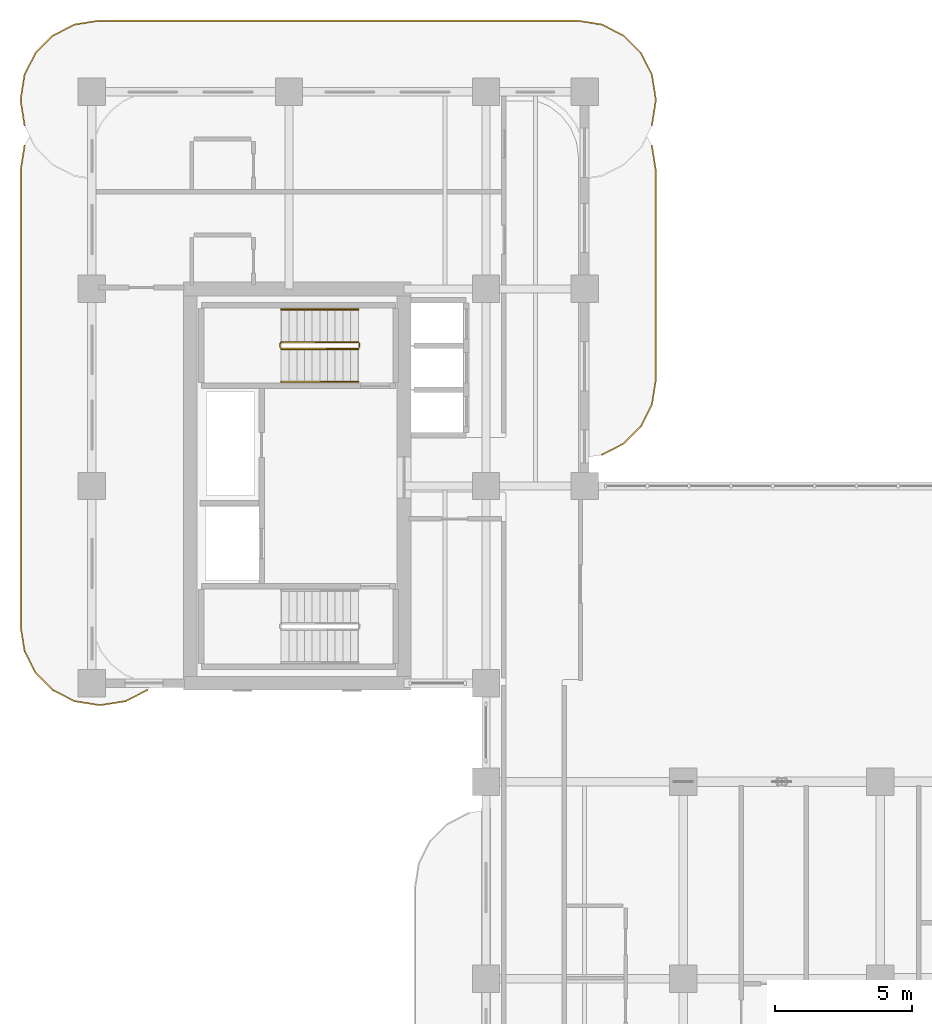
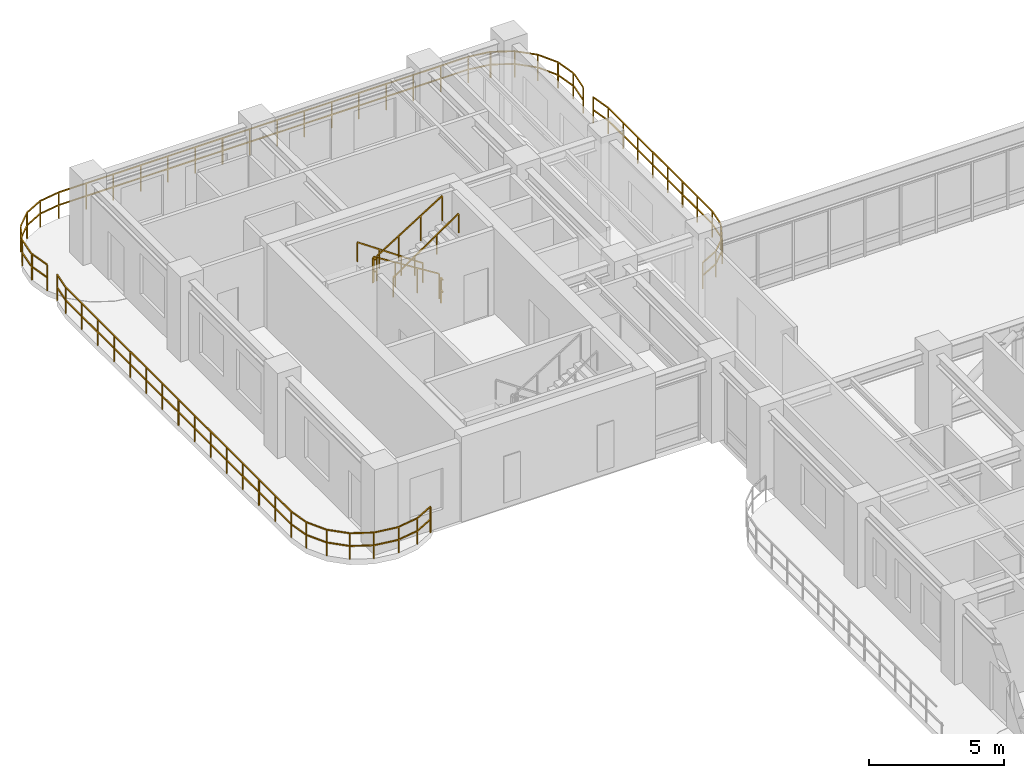
# One storey, part 17 of 17: 9 railings.
"""IFC4 building model written with IfcOpenShell, lengths in metres."""

from ifc_helpers import new_model, si_unit, derived_unit, direction, frame, origin, origin_2d, place, context, subcontext, project, spatial, rectangle, extrude, material, type_object, element, save


model = new_model("IFC4")

# Units and contexts
model_context = context("Model", 3, precision=1e-05, world=origin(), true_north=direction((0.0, 1.0)))
body_context = subcontext(model_context, "Body", "Model", "MODEL_VIEW")
ifc_project = project(units=[si_unit("LENGTHUNIT", "METRE"), si_unit("AREAUNIT", "SQUARE_METRE"), si_unit("VOLUMEUNIT", "CUBIC_METRE"), si_unit("PLANEANGLEUNIT", "RADIAN"), si_unit("MASSUNIT", "GRAM", prefix="KILO"), si_unit("THERMODYNAMICTEMPERATUREUNIT", "KELVIN"), si_unit("POWERUNIT", "WATT"), derived_unit("THERMALTRANSMITTANCEUNIT", [(si_unit("POWERUNIT", "WATT"), 1), (si_unit("AREAUNIT", "SQUARE_METRE"), -1), (si_unit("THERMODYNAMICTEMPERATUREUNIT", "KELVIN"), -1)])], contexts=[model_context])

# Site, building, storey
site_placement = place(None, origin())
site = spatial("IfcSite", under=ifc_project, at=site_placement, CompositionType="ELEMENT")
building_placement = place(site_placement, origin())
building = spatial("IfcBuilding", under=site, at=building_placement, Name="Zahravan Archway Hotel and Residences", CompositionType="ELEMENT")
storey_placement = place(building_placement, frame((0.0, 0.0, 192.64990234375)))
storey = spatial("IfcBuildingStorey", under=building, at=storey_placement, Name="L48", CompositionType="ELEMENT", Elevation=192.64990234375)

# Railings
ifc_material_1 = material(Name="Bronze & Laminated Glass Balustrade", Category="glass")
railing_type_1 = type_object("IfcRailingType", Name="RL-BAL-1200", PredefinedType="BALUSTRADE", material=ifc_material_1)
railing_1_placement = place(storey_placement, frame((-2.46044921875, 45.5693359375, 0.0)))
element("IfcRailing", 1, at=railing_1_placement, inside=storey, type_object=railing_type_1, Name="L48 Balustrade RL-SLB-BAL-L48-NB-1", PredefinedType="BALUSTRADE", context=body_context, shape_type="SweptSolid", body=[
    extrude(rectangle(XDim=0.048095703125, YDim=0.048095703125, at=origin_2d()), frame((0.0, 0.0, 1.17578125), z_axis=(-0.156623399917, 0.987658397726, 0.0), x_axis=(-0.987658397726, -0.156623399917, 0.0)), (0.0, 0.0, 1.0), 0.8916015625),
    extrude(rectangle(XDim=0.048095703125, YDim=0.048095703125, at=origin_2d()), frame((0.0, 0.0, 0.60009765625), z_axis=(-0.156623399917, 0.987658397726, 0.0), x_axis=(-0.987658397726, -0.156623399917, 0.0)), (0.0, 0.0, 1.0), 0.8916015625),
    extrude(rectangle(XDim=0.048095703125, YDim=0.048095703125, at=origin_2d()), frame((-0.1396484375, 0.880615234375, 1.17578125), z_axis=(0.0, 1.0, 0.0), x_axis=(-1.0, 0.0, 0.0)), (0.0, 0.0, 1.0), 0.10009765625),
    extrude(rectangle(XDim=0.048095703125, YDim=0.048095703125, at=origin_2d()), frame((-0.1396484375, 0.880615234375, 0.60009765625), z_axis=(0.0, 1.0, 0.0), x_axis=(-1.0, 0.0, 0.0)), (0.0, 0.0, 1.0), 0.10009765625),
    extrude(rectangle(XDim=0.048095703125, YDim=0.048095703125, at=origin_2d()), frame((-0.1396484375, 0.980712890625, 1.17578125), z_axis=(0.156623399917, 0.987658397726, 0.0), x_axis=(-0.987658397726, 0.156623399917, 0.0)), (0.0, 0.0, 1.0), 0.8916015625),
    extrude(rectangle(XDim=0.048095703125, YDim=0.048095703125, at=origin_2d()), frame((-0.1396484375, 0.980712890625, 0.60009765625), z_axis=(0.156623399917, 0.987658397726, 0.0), x_axis=(-0.987658397726, 0.156623399917, 0.0)), (0.0, 0.0, 1.0), 0.8916015625),
    extrude(rectangle(XDim=0.048095703125, YDim=0.048095703125, at=origin_2d()), frame((0.0, 1.861328125, 1.17578125), z_axis=(0.453991409995, 0.891006060389, 0.0), x_axis=(-0.891006060389, 0.453991409995, 0.0)), (0.0, 0.0, 1.0), 0.8916015625),
    extrude(rectangle(XDim=0.048095703125, YDim=0.048095703125, at=origin_2d()), frame((0.0, 1.861328125, 0.60009765625), z_axis=(0.453991409995, 0.891006060389, 0.0), x_axis=(-0.891006060389, 0.453991409995, 0.0)), (0.0, 0.0, 1.0), 0.8916015625),
    extrude(rectangle(XDim=0.048095703125, YDim=0.048095703125, at=origin_2d()), frame((0.40478515625, 2.65576171875, 1.17578125), z_axis=(0.706969864397, 0.70724367147, 0.0), x_axis=(-0.70724367147, 0.706969864397, 0.0)), (0.0, 0.0, 1.0), 0.8916015625),
    extrude(rectangle(XDim=0.048095703125, YDim=0.048095703125, at=origin_2d()), frame((0.40478515625, 2.65576171875, 0.60009765625), z_axis=(0.706969864397, 0.70724367147, 0.0), x_axis=(-0.70724367147, 0.706969864397, 0.0)), (0.0, 0.0, 1.0), 0.8916015625),
    extrude(rectangle(XDim=0.048095703125, YDim=0.048095703125, at=origin_2d()), frame((1.03515625, 3.286376953125, 1.17578125), z_axis=(0.891062476022, 0.45388067135, 0.0), x_axis=(-0.45388067135, 0.891062476022, 0.0)), (0.0, 0.0, 1.0), 0.891845703125),
    extrude(rectangle(XDim=0.048095703125, YDim=0.048095703125, at=origin_2d()), frame((1.03515625, 3.286376953125, 0.60009765625), z_axis=(0.891062476022, 0.45388067135, 0.0), x_axis=(-0.45388067135, 0.891062476022, 0.0)), (0.0, 0.0, 1.0), 0.891845703125),
    extrude(rectangle(XDim=0.048095703125, YDim=0.048095703125, at=origin_2d()), frame((1.829833984375, 3.691162109375, 1.17578125), z_axis=(0.987700720307, 0.156356282588, 0.0), x_axis=(-0.156356282588, 0.987700720307, 0.0)), (0.0, 0.0, 1.0), 0.8916015625),
    extrude(rectangle(XDim=0.048095703125, YDim=0.048095703125, at=origin_2d()), frame((1.829833984375, 3.691162109375, 0.60009765625), z_axis=(0.987700720307, 0.156356282588, 0.0), x_axis=(-0.156356282588, 0.987700720307, 0.0)), (0.0, 0.0, 1.0), 0.8916015625),
    extrude(rectangle(XDim=0.048095703125, YDim=0.048095703125, at=origin_2d()), frame((2.71044921875, 3.83056640625, 1.17578125), z_axis=(1.0, 0.0, 0.0), x_axis=(0.0, 1.0, 0.0)), (0.0, 0.0, 1.0), 17.5),
    extrude(rectangle(XDim=0.048095703125, YDim=0.048095703125, at=origin_2d()), frame((2.71044921875, 3.83056640625, 0.60009765625), z_axis=(1.0, 0.0, 0.0), x_axis=(0.0, 1.0, 0.0)), (0.0, 0.0, 1.0), 17.5),
    extrude(rectangle(XDim=0.048095703125, YDim=0.048095703125, at=origin_2d()), frame((20.21044921875, 3.83056640625, 1.17578125), z_axis=(0.987700720307, -0.156356282588, 0.0), x_axis=(0.156356282588, 0.987700720307, 0.0)), (0.0, 0.0, 1.0), 0.8916015625),
    extrude(rectangle(XDim=0.048095703125, YDim=0.048095703125, at=origin_2d()), frame((20.21044921875, 3.83056640625, 0.60009765625), z_axis=(0.987700720307, -0.156356282588, 0.0), x_axis=(0.156356282588, 0.987700720307, 0.0)), (0.0, 0.0, 1.0), 0.8916015625),
    extrude(rectangle(XDim=0.048095703125, YDim=0.048095703125, at=origin_2d()), frame((21.091064453125, 3.691162109375, 1.17578125), z_axis=(0.891062476022, -0.45388067135, 0.0), x_axis=(0.45388067135, 0.891062476022, 0.0)), (0.0, 0.0, 1.0), 0.891845703125),
    extrude(rectangle(XDim=0.048095703125, YDim=0.048095703125, at=origin_2d()), frame((21.091064453125, 3.691162109375, 0.60009765625), z_axis=(0.891062476022, -0.45388067135, 0.0), x_axis=(0.45388067135, 0.891062476022, 0.0)), (0.0, 0.0, 1.0), 0.891845703125),
    extrude(rectangle(XDim=0.048095703125, YDim=0.048095703125, at=origin_2d()), frame((21.8857421875, 3.286376953125, 1.17578125), z_axis=(0.706969864397, -0.70724367147, 0.0), x_axis=(0.70724367147, 0.706969864397, 0.0)), (0.0, 0.0, 1.0), 0.8916015625),
    extrude(rectangle(XDim=0.048095703125, YDim=0.048095703125, at=origin_2d()), frame((21.8857421875, 3.286376953125, 0.60009765625), z_axis=(0.706969864397, -0.70724367147, 0.0), x_axis=(0.70724367147, 0.706969864397, 0.0)), (0.0, 0.0, 1.0), 0.8916015625),
    extrude(rectangle(XDim=0.048095703125, YDim=0.048095703125, at=origin_2d()), frame((22.51611328125, 2.65576171875, 1.17578125), z_axis=(0.453991409995, -0.891006060389, 0.0), x_axis=(0.891006060389, 0.453991409995, 0.0)), (0.0, 0.0, 1.0), 0.8916015625),
    extrude(rectangle(XDim=0.048095703125, YDim=0.048095703125, at=origin_2d()), frame((22.51611328125, 2.65576171875, 0.60009765625), z_axis=(0.453991409995, -0.891006060389, 0.0), x_axis=(0.891006060389, 0.453991409995, 0.0)), (0.0, 0.0, 1.0), 0.8916015625),
    extrude(rectangle(XDim=0.048095703125, YDim=0.048095703125, at=origin_2d()), frame((22.9208984375, 1.861328125, 1.17578125), z_axis=(0.156623399917, -0.987658397726, 0.0), x_axis=(0.987658397726, 0.156623399917, 0.0)), (0.0, 0.0, 1.0), 0.8916015625),
    extrude(rectangle(XDim=0.048095703125, YDim=0.048095703125, at=origin_2d()), frame((22.9208984375, 1.861328125, 0.60009765625), z_axis=(0.156623399917, -0.987658397726, 0.0), x_axis=(0.987658397726, 0.156623399917, 0.0)), (0.0, 0.0, 1.0), 0.8916015625),
    extrude(rectangle(XDim=0.048095703125, YDim=0.048095703125, at=origin_2d()), frame((23.060546875, 0.980712890625, 1.17578125), z_axis=(0.0, -1.0, 0.0), x_axis=(1.0, 0.0, 0.0)), (0.0, 0.0, 1.0), 0.10009765625),
    extrude(rectangle(XDim=0.048095703125, YDim=0.048095703125, at=origin_2d()), frame((23.060546875, 0.980712890625, 0.60009765625), z_axis=(0.0, -1.0, 0.0), x_axis=(1.0, 0.0, 0.0)), (0.0, 0.0, 1.0), 0.10009765625),
    extrude(rectangle(XDim=0.048095703125, YDim=0.048095703125, at=origin_2d()), frame((23.060546875, 0.880615234375, 1.17578125), z_axis=(-0.156623399917, -0.987658397726, 0.0), x_axis=(0.987658397726, -0.156623399917, 0.0)), (0.0, 0.0, 1.0), 0.8916015625),
    extrude(rectangle(XDim=0.048095703125, YDim=0.048095703125, at=origin_2d()), frame((23.060546875, 0.880615234375, 0.60009765625), z_axis=(-0.156623399917, -0.987658397726, 0.0), x_axis=(0.987658397726, -0.156623399917, 0.0)), (0.0, 0.0, 1.0), 0.8916015625),
    extrude(rectangle(XDim=0.0419921875, YDim=0.0419921875, at=origin_2d()), origin(), (0.0, 0.0, 1.0), 1.15185546875),
    extrude(rectangle(XDim=0.0419921875, YDim=0.0419921875, at=origin_2d()), frame((-0.1396484375, 0.880615234375, 0.0)), (0.0, 0.0, 1.0), 1.15185546875),
    extrude(rectangle(XDim=0.0419921875, YDim=0.0419921875, at=origin_2d()), frame((0.0, 1.861328125, 0.0)), (0.0, 0.0, 1.0), 1.15185546875),
    extrude(rectangle(XDim=0.0419921875, YDim=0.0419921875, at=origin_2d()), frame((0.40478515625, 2.65576171875, 0.0)), (0.0, 0.0, 1.0), 1.15185546875),
    extrude(rectangle(XDim=0.0419921875, YDim=0.0419921875, at=origin_2d()), frame((1.03515625, 3.286376953125, 0.0)), (0.0, 0.0, 1.0), 1.15185546875),
    extrude(rectangle(XDim=0.0419921875, YDim=0.0419921875, at=origin_2d()), frame((1.829833984375, 3.691162109375, 0.0)), (0.0, 0.0, 1.0), 1.15185546875),
    extrude(rectangle(XDim=0.0419921875, YDim=0.0419921875, at=origin_2d()), frame((2.71044921875, 3.83056640625, 0.0)), (0.0, 0.0, 1.0), 1.15185546875),
    extrude(rectangle(XDim=0.0419921875, YDim=0.0419921875, at=origin_2d()), frame((3.877197265625, 3.83056640625, 0.0)), (0.0, 0.0, 1.0), 1.15185546875),
    extrude(rectangle(XDim=0.0419921875, YDim=0.0419921875, at=origin_2d()), frame((5.043701171875, 3.83056640625, 0.0)), (0.0, 0.0, 1.0), 1.15185546875),
    extrude(rectangle(XDim=0.0419921875, YDim=0.0419921875, at=origin_2d()), frame((6.21044921875, 3.83056640625, 0.0)), (0.0, 0.0, 1.0), 1.15185546875),
    extrude(rectangle(XDim=0.0419921875, YDim=0.0419921875, at=origin_2d()), frame((7.377197265625, 3.83056640625, 0.0)), (0.0, 0.0, 1.0), 1.15185546875),
    extrude(rectangle(XDim=0.0419921875, YDim=0.0419921875, at=origin_2d()), frame((8.543701171875, 3.83056640625, 0.0)), (0.0, 0.0, 1.0), 1.15185546875),
    extrude(rectangle(XDim=0.0419921875, YDim=0.0419921875, at=origin_2d()), frame((9.71044921875, 3.83056640625, 0.0)), (0.0, 0.0, 1.0), 1.15185546875),
    extrude(rectangle(XDim=0.0419921875, YDim=0.0419921875, at=origin_2d()), frame((10.877197265625, 3.83056640625, 0.0)), (0.0, 0.0, 1.0), 1.15185546875),
    extrude(rectangle(XDim=0.0419921875, YDim=0.0419921875, at=origin_2d()), frame((12.043701171875, 3.83056640625, 0.0)), (0.0, 0.0, 1.0), 1.15185546875),
    extrude(rectangle(XDim=0.0419921875, YDim=0.0419921875, at=origin_2d()), frame((13.21044921875, 3.83056640625, 0.0)), (0.0, 0.0, 1.0), 1.15185546875),
    extrude(rectangle(XDim=0.0419921875, YDim=0.0419921875, at=origin_2d()), frame((14.377197265625, 3.83056640625, 0.0)), (0.0, 0.0, 1.0), 1.15185546875),
    extrude(rectangle(XDim=0.0419921875, YDim=0.0419921875, at=origin_2d()), frame((15.543701171875, 3.83056640625, 0.0)), (0.0, 0.0, 1.0), 1.15185546875),
    extrude(rectangle(XDim=0.0419921875, YDim=0.0419921875, at=origin_2d()), frame((16.71044921875, 3.83056640625, 0.0)), (0.0, 0.0, 1.0), 1.15185546875),
    extrude(rectangle(XDim=0.0419921875, YDim=0.0419921875, at=origin_2d()), frame((17.877197265625, 3.83056640625, 0.0)), (0.0, 0.0, 1.0), 1.15185546875),
    extrude(rectangle(XDim=0.0419921875, YDim=0.0419921875, at=origin_2d()), frame((19.043701171875, 3.83056640625, 0.0)), (0.0, 0.0, 1.0), 1.15185546875),
    extrude(rectangle(XDim=0.0419921875, YDim=0.0419921875, at=origin_2d()), frame((20.21044921875, 3.83056640625, 0.0)), (0.0, 0.0, 1.0), 1.15185546875),
    extrude(rectangle(XDim=0.0419921875, YDim=0.0419921875, at=origin_2d()), frame((21.091064453125, 3.691162109375, 0.0)), (0.0, 0.0, 1.0), 1.15185546875),
    extrude(rectangle(XDim=0.0419921875, YDim=0.0419921875, at=origin_2d()), frame((21.8857421875, 3.286376953125, 0.0)), (0.0, 0.0, 1.0), 1.15185546875),
    extrude(rectangle(XDim=0.0419921875, YDim=0.0419921875, at=origin_2d()), frame((22.51611328125, 2.65576171875, 0.0)), (0.0, 0.0, 1.0), 1.15185546875),
    extrude(rectangle(XDim=0.0419921875, YDim=0.0419921875, at=origin_2d()), frame((22.9208984375, 1.861328125, 0.0)), (0.0, 0.0, 1.0), 1.15185546875),
    extrude(rectangle(XDim=0.0419921875, YDim=0.0419921875, at=origin_2d()), frame((23.060546875, 0.980712890625, 0.0)), (0.0, 0.0, 1.0), 1.15185546875),
    extrude(rectangle(XDim=0.0419921875, YDim=0.0419921875, at=origin_2d()), frame((22.9208984375, 0.0, 0.0)), (0.0, 0.0, 1.0), 1.15185546875),
])
railing_2_placement = place(storey_placement, frame((2.025146484375, 24.9443359375, 0.0)))
element("IfcRailing", 2, at=railing_2_placement, inside=storey, type_object=railing_type_1, Name="L48 Balustrade RL-SLB-BAL-L48-WB-1", PredefinedType="BALUSTRADE", context=body_context, shape_type="SweptSolid", body=[
    extrude(rectangle(XDim=0.048095703125, YDim=0.048095703125, at=origin_2d()), frame((0.0, 0.0, 1.17578125), z_axis=(-0.891006060389, -0.453991409995, 0.0), x_axis=(0.453991409995, -0.891006060389, 0.0)), (0.0, 0.0, 1.0), 0.8916015625),
    extrude(rectangle(XDim=0.048095703125, YDim=0.048095703125, at=origin_2d()), frame((0.0, 0.0, 0.60009765625), z_axis=(-0.891006060389, -0.453991409995, 0.0), x_axis=(0.453991409995, -0.891006060389, 0.0)), (0.0, 0.0, 1.0), 0.8916015625),
    extrude(rectangle(XDim=0.048095703125, YDim=0.048095703125, at=origin_2d()), frame((-0.79443359375, -0.40478515625, 1.17578125), z_axis=(-0.987658397726, -0.156623399917, 0.0), x_axis=(0.156623399917, -0.987658397726, 0.0)), (0.0, 0.0, 1.0), 0.8916015625),
    extrude(rectangle(XDim=0.048095703125, YDim=0.048095703125, at=origin_2d()), frame((-0.79443359375, -0.40478515625, 0.60009765625), z_axis=(-0.987658397726, -0.156623399917, 0.0), x_axis=(0.156623399917, -0.987658397726, 0.0)), (0.0, 0.0, 1.0), 0.8916015625),
    extrude(rectangle(XDim=0.048095703125, YDim=0.048095703125, at=origin_2d()), frame((-1.675048828125, -0.54443359375, 1.17578125), z_axis=(-1.0, 0.0, 0.0), x_axis=(0.0, -1.0, 0.0)), (0.0, 0.0, 1.0), 0.10009765625),
    extrude(rectangle(XDim=0.048095703125, YDim=0.048095703125, at=origin_2d()), frame((-1.675048828125, -0.54443359375, 0.60009765625), z_axis=(-1.0, 0.0, 0.0), x_axis=(0.0, -1.0, 0.0)), (0.0, 0.0, 1.0), 0.10009765625),
    extrude(rectangle(XDim=0.048095703125, YDim=0.048095703125, at=origin_2d()), frame((-1.775146484375, -0.54443359375, 1.17578125), z_axis=(-0.987658397726, 0.156623399917, 0.0), x_axis=(-0.156623399917, -0.987658397726, 0.0)), (0.0, 0.0, 1.0), 0.8916015625),
    extrude(rectangle(XDim=0.048095703125, YDim=0.048095703125, at=origin_2d()), frame((-1.775146484375, -0.54443359375, 0.60009765625), z_axis=(-0.987658397726, 0.156623399917, 0.0), x_axis=(-0.156623399917, -0.987658397726, 0.0)), (0.0, 0.0, 1.0), 0.8916015625),
    extrude(rectangle(XDim=0.048095703125, YDim=0.048095703125, at=origin_2d()), frame((-2.65576171875, -0.40478515625, 1.17578125), z_axis=(-0.891062476022, 0.45388067135, 0.0), x_axis=(-0.45388067135, -0.891062476022, 0.0)), (0.0, 0.0, 1.0), 0.891845703125),
    extrude(rectangle(XDim=0.048095703125, YDim=0.048095703125, at=origin_2d()), frame((-2.65576171875, -0.40478515625, 0.60009765625), z_axis=(-0.891062476022, 0.45388067135, 0.0), x_axis=(-0.45388067135, -0.891062476022, 0.0)), (0.0, 0.0, 1.0), 0.891845703125),
    extrude(rectangle(XDim=0.048095703125, YDim=0.048095703125, at=origin_2d()), frame((-3.450439453125, 0.0, 1.17578125), z_axis=(-0.707106781187, 0.707106781187, 0.0), x_axis=(-0.707106781187, -0.707106781187, 0.0)), (0.0, 0.0, 1.0), 0.891357421875),
    extrude(rectangle(XDim=0.048095703125, YDim=0.048095703125, at=origin_2d()), frame((-3.450439453125, 0.0, 0.60009765625), z_axis=(-0.707106781187, 0.707106781187, 0.0), x_axis=(-0.707106781187, -0.707106781187, 0.0)), (0.0, 0.0, 1.0), 0.891357421875),
    extrude(rectangle(XDim=0.048095703125, YDim=0.048095703125, at=origin_2d()), frame((-4.080810546875, 0.63037109375, 1.17578125), z_axis=(-0.45388067135, 0.891062476022, 0.0), x_axis=(-0.891062476022, -0.45388067135, 0.0)), (0.0, 0.0, 1.0), 0.891845703125),
    extrude(rectangle(XDim=0.048095703125, YDim=0.048095703125, at=origin_2d()), frame((-4.080810546875, 0.63037109375, 0.60009765625), z_axis=(-0.45388067135, 0.891062476022, 0.0), x_axis=(-0.891062476022, -0.45388067135, 0.0)), (0.0, 0.0, 1.0), 0.891845703125),
    extrude(rectangle(XDim=0.048095703125, YDim=0.048095703125, at=origin_2d()), frame((-4.485595703125, 1.425048828125, 1.17578125), z_axis=(-0.156623399917, 0.987658397726, 0.0), x_axis=(-0.987658397726, -0.156623399917, 0.0)), (0.0, 0.0, 1.0), 0.8916015625),
    extrude(rectangle(XDim=0.048095703125, YDim=0.048095703125, at=origin_2d()), frame((-4.485595703125, 1.425048828125, 0.60009765625), z_axis=(-0.156623399917, 0.987658397726, 0.0), x_axis=(-0.987658397726, -0.156623399917, 0.0)), (0.0, 0.0, 1.0), 0.8916015625),
    extrude(rectangle(XDim=0.048095703125, YDim=0.048095703125, at=origin_2d()), frame((-4.625244140625, 2.3056640625, 1.17578125), z_axis=(0.0, 1.0, 0.0), x_axis=(-1.0, 0.0, 0.0)), (0.0, 0.0, 1.0), 16.699951171875),
    extrude(rectangle(XDim=0.048095703125, YDim=0.048095703125, at=origin_2d()), frame((-4.625244140625, 2.3056640625, 0.60009765625), z_axis=(0.0, 1.0, 0.0), x_axis=(-1.0, 0.0, 0.0)), (0.0, 0.0, 1.0), 16.699951171875),
    extrude(rectangle(XDim=0.048095703125, YDim=0.048095703125, at=origin_2d()), frame((-4.625244140625, 19.005615234375, 1.17578125), z_axis=(0.156581054338, 0.98766511198, 0.0), x_axis=(-0.98766511198, 0.156581054338, 0.0)), (0.0, 0.0, 1.0), 0.891845703125),
    extrude(rectangle(XDim=0.048095703125, YDim=0.048095703125, at=origin_2d()), frame((-4.625244140625, 19.005615234375, 0.60009765625), z_axis=(0.156581054338, 0.98766511198, 0.0), x_axis=(-0.98766511198, 0.156581054338, 0.0)), (0.0, 0.0, 1.0), 0.891845703125),
    extrude(rectangle(XDim=0.0419921875, YDim=0.0419921875, at=origin_2d()), origin(), (0.0, 0.0, 1.0), 1.15185546875),
    extrude(rectangle(XDim=0.0419921875, YDim=0.0419921875, at=origin_2d()), frame((-0.79443359375, -0.40478515625, 0.0)), (0.0, 0.0, 1.0), 1.15185546875),
    extrude(rectangle(XDim=0.0419921875, YDim=0.0419921875, at=origin_2d()), frame((-1.675048828125, -0.54443359375, 0.0)), (0.0, 0.0, 1.0), 1.15185546875),
    extrude(rectangle(XDim=0.0419921875, YDim=0.0419921875, at=origin_2d()), frame((-2.65576171875, -0.40478515625, 0.0)), (0.0, 0.0, 1.0), 1.15185546875),
    extrude(rectangle(XDim=0.0419921875, YDim=0.0419921875, at=origin_2d()), frame((-3.450439453125, 0.0, 0.0)), (0.0, 0.0, 1.0), 1.15185546875),
    extrude(rectangle(XDim=0.0419921875, YDim=0.0419921875, at=origin_2d()), frame((-4.080810546875, 0.63037109375, 0.0)), (0.0, 0.0, 1.0), 1.15185546875),
    extrude(rectangle(XDim=0.0419921875, YDim=0.0419921875, at=origin_2d()), frame((-4.485595703125, 1.425048828125, 0.0)), (0.0, 0.0, 1.0), 1.15185546875),
    extrude(rectangle(XDim=0.0419921875, YDim=0.0419921875, at=origin_2d()), frame((-4.625244140625, 2.3056640625, 0.0)), (0.0, 0.0, 1.0), 1.15185546875),
    extrude(rectangle(XDim=0.0419921875, YDim=0.0419921875, at=origin_2d()), frame((-4.625244140625, 3.49853515625, 0.0)), (0.0, 0.0, 1.0), 1.15185546875),
    extrude(rectangle(XDim=0.0419921875, YDim=0.0419921875, at=origin_2d()), frame((-4.625244140625, 4.69140625, 0.0)), (0.0, 0.0, 1.0), 1.15185546875),
    extrude(rectangle(XDim=0.0419921875, YDim=0.0419921875, at=origin_2d()), frame((-4.625244140625, 5.88427734375, 0.0)), (0.0, 0.0, 1.0), 1.15185546875),
    extrude(rectangle(XDim=0.0419921875, YDim=0.0419921875, at=origin_2d()), frame((-4.625244140625, 7.0771484375, 0.0)), (0.0, 0.0, 1.0), 1.15185546875),
    extrude(rectangle(XDim=0.0419921875, YDim=0.0419921875, at=origin_2d()), frame((-4.625244140625, 8.27001953125, 0.0)), (0.0, 0.0, 1.0), 1.15185546875),
    extrude(rectangle(XDim=0.0419921875, YDim=0.0419921875, at=origin_2d()), frame((-4.625244140625, 9.462890625, 0.0)), (0.0, 0.0, 1.0), 1.15185546875),
    extrude(rectangle(XDim=0.0419921875, YDim=0.0419921875, at=origin_2d()), frame((-4.625244140625, 10.65576171875, 0.0)), (0.0, 0.0, 1.0), 1.15185546875),
    extrude(rectangle(XDim=0.0419921875, YDim=0.0419921875, at=origin_2d()), frame((-4.625244140625, 11.848388671875, 0.0)), (0.0, 0.0, 1.0), 1.15185546875),
    extrude(rectangle(XDim=0.0419921875, YDim=0.0419921875, at=origin_2d()), frame((-4.625244140625, 13.041259765625, 0.0)), (0.0, 0.0, 1.0), 1.15185546875),
    extrude(rectangle(XDim=0.0419921875, YDim=0.0419921875, at=origin_2d()), frame((-4.625244140625, 14.234130859375, 0.0)), (0.0, 0.0, 1.0), 1.15185546875),
    extrude(rectangle(XDim=0.0419921875, YDim=0.0419921875, at=origin_2d()), frame((-4.625244140625, 15.427001953125, 0.0)), (0.0, 0.0, 1.0), 1.15185546875),
    extrude(rectangle(XDim=0.0419921875, YDim=0.0419921875, at=origin_2d()), frame((-4.625244140625, 16.619873046875, 0.0)), (0.0, 0.0, 1.0), 1.15185546875),
    extrude(rectangle(XDim=0.0419921875, YDim=0.0419921875, at=origin_2d()), frame((-4.625244140625, 17.812744140625, 0.0)), (0.0, 0.0, 1.0), 1.15185546875),
    extrude(rectangle(XDim=0.0419921875, YDim=0.0419921875, at=origin_2d()), frame((-4.625244140625, 19.005615234375, 0.0)), (0.0, 0.0, 1.0), 1.15185546875),
    extrude(rectangle(XDim=0.0419921875, YDim=0.0419921875, at=origin_2d()), frame((-4.485595703125, 19.886474609375, 0.0)), (0.0, 0.0, 1.0), 1.15185546875),
])
railing_3_placement = place(storey_placement, frame((20.46044921875, 44.830810546875, 0.0)))
element("IfcRailing", 3, at=railing_3_placement, inside=storey, type_object=railing_type_1, Name="L48 Balustrade RL-SLB-BAL-L48-EB-1", PredefinedType="BALUSTRADE", context=body_context, shape_type="SweptSolid", body=[
    extrude(rectangle(XDim=0.048095703125, YDim=0.048095703125, at=origin_2d()), frame((0.0, 0.0, 1.17578125), z_axis=(0.156581054338, -0.98766511198, 0.0), x_axis=(0.98766511198, 0.156581054338, 0.0)), (0.0, 0.0, 1.0), 0.891845703125),
    extrude(rectangle(XDim=0.048095703125, YDim=0.048095703125, at=origin_2d()), frame((0.0, 0.0, 0.60009765625), z_axis=(0.156581054338, -0.98766511198, 0.0), x_axis=(0.98766511198, 0.156581054338, 0.0)), (0.0, 0.0, 1.0), 0.891845703125),
    extrude(rectangle(XDim=0.048095703125, YDim=0.048095703125, at=origin_2d()), frame((0.1396484375, -0.880859375, 1.17578125), z_axis=(0.0, -1.0, 0.0), x_axis=(1.0, 0.0, 0.0)), (0.0, 0.0, 1.0), 7.699951171875),
    extrude(rectangle(XDim=0.048095703125, YDim=0.048095703125, at=origin_2d()), frame((0.1396484375, -0.880859375, 0.60009765625), z_axis=(0.0, -1.0, 0.0), x_axis=(1.0, 0.0, 0.0)), (0.0, 0.0, 1.0), 7.699951171875),
    extrude(rectangle(XDim=0.048095703125, YDim=0.048095703125, at=origin_2d()), frame((0.1396484375, -8.580810546875, 1.17578125), z_axis=(-0.156623399917, -0.987658397726, 0.0), x_axis=(0.987658397726, -0.156623399917, 0.0)), (0.0, 0.0, 1.0), 0.8916015625),
    extrude(rectangle(XDim=0.048095703125, YDim=0.048095703125, at=origin_2d()), frame((0.1396484375, -8.580810546875, 0.60009765625), z_axis=(-0.156623399917, -0.987658397726, 0.0), x_axis=(0.987658397726, -0.156623399917, 0.0)), (0.0, 0.0, 1.0), 0.8916015625),
    extrude(rectangle(XDim=0.048095703125, YDim=0.048095703125, at=origin_2d()), frame((0.0, -9.46142578125, 1.17578125), z_axis=(-0.45388067135, -0.891062476022, 0.0), x_axis=(0.891062476022, -0.45388067135, 0.0)), (0.0, 0.0, 1.0), 0.891845703125),
    extrude(rectangle(XDim=0.048095703125, YDim=0.048095703125, at=origin_2d()), frame((0.0, -9.46142578125, 0.60009765625), z_axis=(-0.45388067135, -0.891062476022, 0.0), x_axis=(0.891062476022, -0.45388067135, 0.0)), (0.0, 0.0, 1.0), 0.891845703125),
    extrude(rectangle(XDim=0.048095703125, YDim=0.048095703125, at=origin_2d()), frame((-0.40478515625, -10.256103515625, 1.17578125), z_axis=(-0.707106781187, -0.707106781187, 0.0), x_axis=(0.707106781187, -0.707106781187, 0.0)), (0.0, 0.0, 1.0), 0.891357421875),
    extrude(rectangle(XDim=0.048095703125, YDim=0.048095703125, at=origin_2d()), frame((-0.40478515625, -10.256103515625, 0.60009765625), z_axis=(-0.707106781187, -0.707106781187, 0.0), x_axis=(0.707106781187, -0.707106781187, 0.0)), (0.0, 0.0, 1.0), 0.891357421875),
    extrude(rectangle(XDim=0.048095703125, YDim=0.048095703125, at=origin_2d()), frame((-1.03515625, -10.886474609375, 1.17578125), z_axis=(-0.891062476022, -0.45388067135, 0.0), x_axis=(0.45388067135, -0.891062476022, 0.0)), (0.0, 0.0, 1.0), 0.891845703125),
    extrude(rectangle(XDim=0.048095703125, YDim=0.048095703125, at=origin_2d()), frame((-1.03515625, -10.886474609375, 0.60009765625), z_axis=(-0.891062476022, -0.45388067135, 0.0), x_axis=(0.45388067135, -0.891062476022, 0.0)), (0.0, 0.0, 1.0), 0.891845703125),
    extrude(rectangle(XDim=0.0419921875, YDim=0.0419921875, at=origin_2d()), origin(), (0.0, 0.0, 1.0), 1.15185546875),
    extrude(rectangle(XDim=0.0419921875, YDim=0.0419921875, at=origin_2d()), frame((0.1396484375, -0.880859375, 0.0)), (0.0, 0.0, 1.0), 1.15185546875),
    extrude(rectangle(XDim=0.0419921875, YDim=0.0419921875, at=origin_2d()), frame((0.1396484375, -1.98095703125, 0.0)), (0.0, 0.0, 1.0), 1.15185546875),
    extrude(rectangle(XDim=0.0419921875, YDim=0.0419921875, at=origin_2d()), frame((0.1396484375, -3.080810546875, 0.0)), (0.0, 0.0, 1.0), 1.15185546875),
    extrude(rectangle(XDim=0.0419921875, YDim=0.0419921875, at=origin_2d()), frame((0.1396484375, -4.180908203125, 0.0)), (0.0, 0.0, 1.0), 1.15185546875),
    extrude(rectangle(XDim=0.0419921875, YDim=0.0419921875, at=origin_2d()), frame((0.1396484375, -5.28076171875, 0.0)), (0.0, 0.0, 1.0), 1.15185546875),
    extrude(rectangle(XDim=0.0419921875, YDim=0.0419921875, at=origin_2d()), frame((0.1396484375, -6.380859375, 0.0)), (0.0, 0.0, 1.0), 1.15185546875),
    extrude(rectangle(XDim=0.0419921875, YDim=0.0419921875, at=origin_2d()), frame((0.1396484375, -7.480712890625, 0.0)), (0.0, 0.0, 1.0), 1.15185546875),
    extrude(rectangle(XDim=0.0419921875, YDim=0.0419921875, at=origin_2d()), frame((0.1396484375, -8.580810546875, 0.0)), (0.0, 0.0, 1.0), 1.15185546875),
    extrude(rectangle(XDim=0.0419921875, YDim=0.0419921875, at=origin_2d()), frame((0.0, -9.46142578125, 0.0)), (0.0, 0.0, 1.0), 1.15185546875),
    extrude(rectangle(XDim=0.0419921875, YDim=0.0419921875, at=origin_2d()), frame((-0.40478515625, -10.256103515625, 0.0)), (0.0, 0.0, 1.0), 1.15185546875),
    extrude(rectangle(XDim=0.0419921875, YDim=0.0419921875, at=origin_2d()), frame((-1.03515625, -10.886474609375, 0.0)), (0.0, 0.0, 1.0), 1.15185546875),
    extrude(rectangle(XDim=0.0419921875, YDim=0.0419921875, at=origin_2d()), frame((-1.829833984375, -11.291259765625, 0.0)), (0.0, 0.0, 1.0), 1.15185546875),
])
ifc_material_2 = material(Name="Painted Tubular Steel", Category="steel")
railing_type_2 = type_object("IfcRailingType", Name="RL-STG-1150", PredefinedType="GUARDRAIL", material=ifc_material_2)
railing_4_placement = place(storey_placement, frame((9.72998046875, 37.64990234375, 0.175048828125)))
element("IfcRailing", 4, at=railing_4_placement, inside=storey, type_object=railing_type_2, Name="L48 ST-B2 stair guard 1", PredefinedType="GUARDRAIL", context=body_context, shape_type="SweptSolid", body=[
    extrude(rectangle(XDim=0.048095703125, YDim=0.048095703125, at=origin_2d()), frame((0.0, 0.0, 1.1259765625), z_axis=(-0.848002457836, 0.0, 0.529992293815), x_axis=(0.0, -1.0, 0.0)), (0.0, 0.0, 1.0), 3.302001953125),
    extrude(rectangle(XDim=0.0419921875, YDim=0.0419921875, at=origin_2d()), origin(), (0.0, 0.0, 1.0), 1.101806640625),
    extrude(rectangle(XDim=0.0419921875, YDim=0.0419921875, at=origin_2d()), frame((-0.933349609375, 0.0, 0.583251953125)), (0.0, 0.0, 1.0), 1.101806640625),
    extrude(rectangle(XDim=0.0419921875, YDim=0.0419921875, at=origin_2d()), frame((-1.86669921875, 0.0, 1.166748046875)), (0.0, 0.0, 1.0), 1.101806640625),
    extrude(rectangle(XDim=0.0419921875, YDim=0.0419921875, at=origin_2d()), frame((-2.800048828125, 0.0, 1.75)), (0.0, 0.0, 1.0), 1.101806640625),
])
railing_5_placement = place(storey_placement, frame((6.8798828125, 37.60009765625, 1.925048828125)))
element("IfcRailing", 5, at=railing_5_placement, inside=storey, type_object=railing_type_2, Name="L48 ST-B2 stair guard 2", PredefinedType="GUARDRAIL", context=body_context, shape_type="SweptSolid", body=[
    extrude(rectangle(XDim=0.048095703125, YDim=0.048095703125, at=origin_2d()), frame((0.0, 0.0, 1.1259765625), z_axis=(0.0, -1.0, 0.0), x_axis=(1.0, 0.0, 0.0)), (0.0, 0.0, 1.0), 0.14013671875),
    extrude(rectangle(XDim=0.048095703125, YDim=0.048095703125, at=origin_2d()), frame((0.0, 0.0, 0.574951171875), z_axis=(0.0, -1.0, 0.0), x_axis=(1.0, 0.0, 0.0)), (0.0, 0.0, 1.0), 0.14013671875),
    extrude(rectangle(XDim=0.0419921875, YDim=0.0419921875, at=origin_2d()), origin(), (0.0, 0.0, 1.0), 1.101806640625),
])
railing_6_placement = place(storey_placement, frame((6.929931640625, 37.409912109375, 2.10009765625)))
element("IfcRailing", 6, at=railing_6_placement, inside=storey, type_object=railing_type_2, Name="L48 ST-B2 stair guard 3", PredefinedType="GUARDRAIL", context=body_context, shape_type="SweptSolid", body=[
    extrude(rectangle(XDim=0.048095703125, YDim=0.048095703125, at=origin_2d()), frame((0.0, 0.0, 1.1259765625), z_axis=(0.848002457836, 0.0, 0.529992293815), x_axis=(0.0, 1.0, 0.0)), (0.0, 0.0, 1.0), 3.302001953125),
    extrude(rectangle(XDim=0.0419921875, YDim=0.0419921875, at=origin_2d()), origin(), (0.0, 0.0, 1.0), 1.101806640625),
    extrude(rectangle(XDim=0.0419921875, YDim=0.0419921875, at=origin_2d()), frame((0.933349609375, 0.0, 0.583251953125)), (0.0, 0.0, 1.0), 1.101806640625),
    extrude(rectangle(XDim=0.0419921875, YDim=0.0419921875, at=origin_2d()), frame((1.86669921875, 0.0, 1.166748046875)), (0.0, 0.0, 1.0), 1.101806640625),
    extrude(rectangle(XDim=0.0419921875, YDim=0.0419921875, at=origin_2d()), frame((2.800048828125, 0.0, 1.75)), (0.0, 0.0, 1.0), 1.101806640625),
])
railing_7_placement = place(storey_placement, frame((9.780029296875, 37.60009765625, 0.0)))
element("IfcRailing", 7, at=railing_7_placement, inside=storey, type_object=railing_type_2, Name="L48 ST-B2 stair guard 4", PredefinedType="GUARDRAIL", context=body_context, shape_type="SweptSolid", body=[
    extrude(rectangle(XDim=0.048095703125, YDim=0.048095703125, at=origin_2d()), frame((0.0, 0.0, 1.1259765625), z_axis=(0.0, -1.0, 0.0), x_axis=(1.0, 0.0, 0.0)), (0.0, 0.0, 1.0), 0.14013671875),
    extrude(rectangle(XDim=0.048095703125, YDim=0.048095703125, at=origin_2d()), frame((0.0, 0.0, 0.574951171875), z_axis=(0.0, -1.0, 0.0), x_axis=(1.0, 0.0, 0.0)), (0.0, 0.0, 1.0), 0.14013671875),
    extrude(rectangle(XDim=0.0419921875, YDim=0.0419921875, at=origin_2d()), origin(), (0.0, 0.0, 1.0), 1.101806640625),
])
ifc_material_3 = material(Name="Brushed Stainless Steel", Category="steel")
railing_type_3 = type_object("IfcRailingType", Name="RL-STH-900", PredefinedType="HANDRAIL", material=ifc_material_3)
railing_8_placement = place(storey_placement, frame((9.72998046875, 38.85009765625, 0.175048828125)))
element("IfcRailing", 8, at=railing_8_placement, inside=storey, type_object=railing_type_3, Name="L48 ST-B2 stair handrail 1", PredefinedType="HANDRAIL", context=body_context, shape_type="SweptSolid", body=[
    extrude(rectangle(XDim=0.048095703125, YDim=0.048095703125, at=origin_2d()), frame((0.0, 0.0, 0.8759765625), z_axis=(-0.824039827795, 0.0, 0.566531872191), x_axis=(0.0, -1.0, 0.0)), (0.0, 0.0, 1.0), 3.39794921875),
    extrude(rectangle(XDim=0.0419921875, YDim=0.0419921875, at=origin_2d()), origin(), (0.0, 0.0, 1.0), 0.851806640625),
    extrude(rectangle(XDim=0.0419921875, YDim=0.0419921875, at=origin_2d()), frame((-0.933349609375, 0.0, 0.6416015625)), (0.0, 0.0, 1.0), 0.851806640625),
    extrude(rectangle(XDim=0.0419921875, YDim=0.0419921875, at=origin_2d()), frame((-1.86669921875, 0.0, 1.283447265625)), (0.0, 0.0, 1.0), 0.851806640625),
    extrude(rectangle(XDim=0.0419921875, YDim=0.0419921875, at=origin_2d()), frame((-2.800048828125, 0.0, 1.925048828125)), (0.0, 0.0, 1.0), 0.851806640625),
])
railing_9_placement = place(storey_placement, frame((6.929931640625, 36.2099609375, 2.10009765625)))
element("IfcRailing", 9, at=railing_9_placement, inside=storey, type_object=railing_type_3, Name="L48 ST-B2 stair handrail 2", PredefinedType="HANDRAIL", context=body_context, shape_type="SweptSolid", body=[
    extrude(rectangle(XDim=0.048095703125, YDim=0.048095703125, at=origin_2d()), frame((0.0, 0.0, 0.8759765625), z_axis=(0.824039827795, 0.0, 0.566531872191), x_axis=(0.0, 1.0, 0.0)), (0.0, 0.0, 1.0), 3.39794921875),
    extrude(rectangle(XDim=0.0419921875, YDim=0.0419921875, at=origin_2d()), origin(), (0.0, 0.0, 1.0), 0.851806640625),
    extrude(rectangle(XDim=0.0419921875, YDim=0.0419921875, at=origin_2d()), frame((0.933349609375, 0.0, 0.6416015625)), (0.0, 0.0, 1.0), 0.851806640625),
    extrude(rectangle(XDim=0.0419921875, YDim=0.0419921875, at=origin_2d()), frame((1.86669921875, 0.0, 1.283447265625)), (0.0, 0.0, 1.0), 0.851806640625),
    extrude(rectangle(XDim=0.0419921875, YDim=0.0419921875, at=origin_2d()), frame((2.800048828125, 0.0, 1.925048828125)), (0.0, 0.0, 1.0), 0.851806640625),
])

save(model, "model.ifc")
